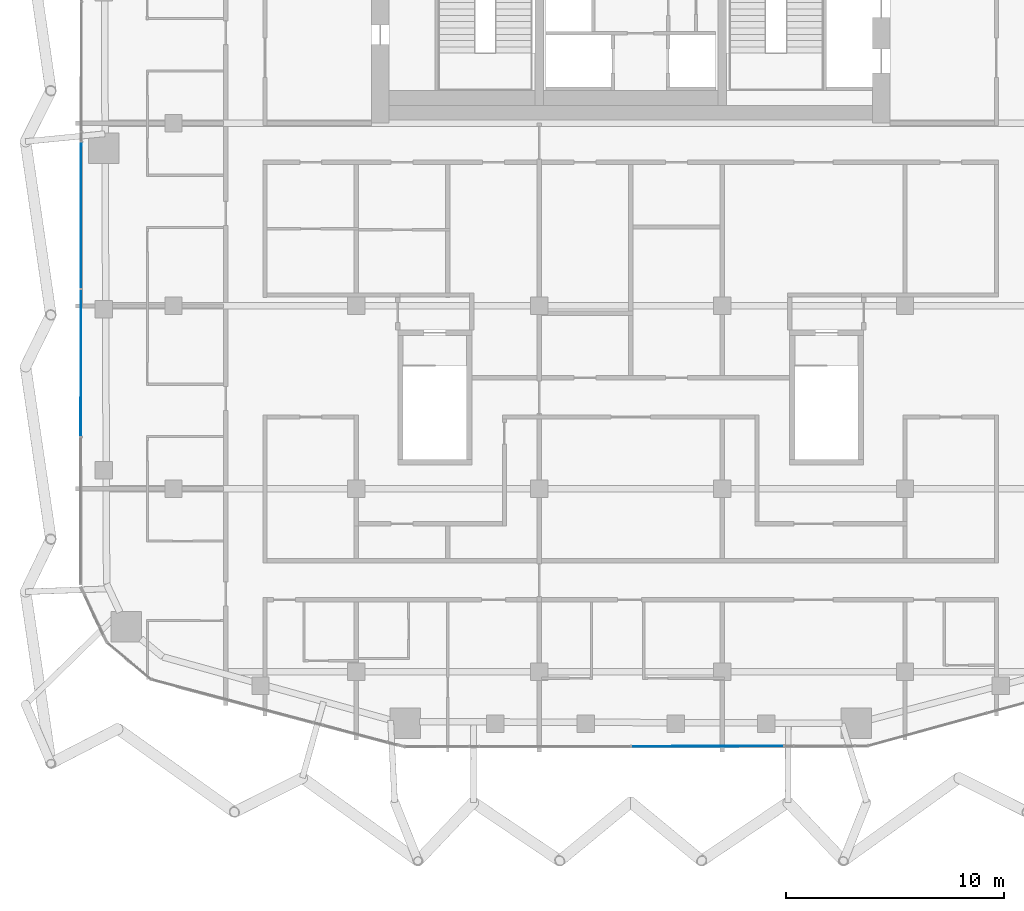
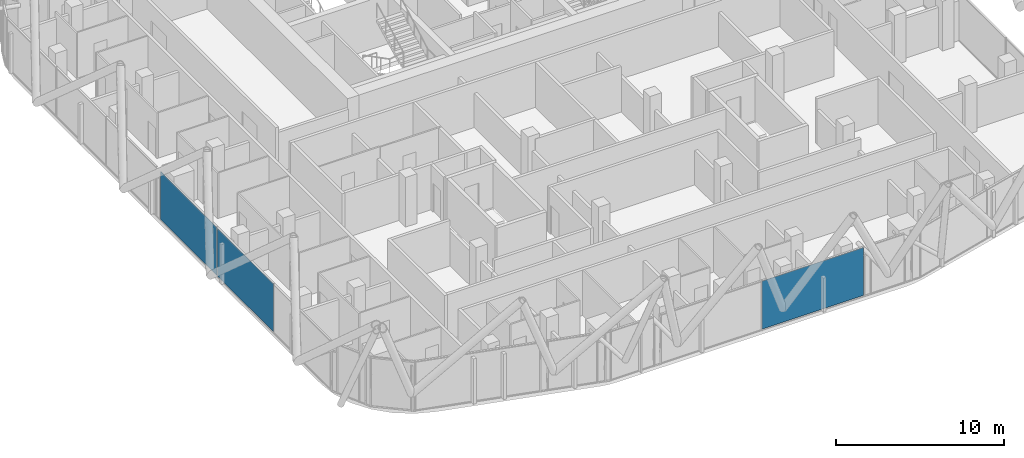
# One storey, part 17 of 33: 3 plates, 2 elements without a shape of their own.
"""IFC4 building model written with IfcOpenShell, lengths in metres."""

from ifc_helpers import new_model, si_unit, direction, frame, origin, origin_2d, place, context, subcontext, project, spatial, rectangle, extrude, material, layer, layer_set, type_object, element, aggregate, save


model = new_model("IFC4")

# Units and contexts
model_context = context("Model", 3, precision=1e-05, world=origin(), true_north=direction((0.0, 1.0)))
body_context = subcontext(model_context, "Body", "Model", "MODEL_VIEW")
ifc_project = project(units=[si_unit("LENGTHUNIT", "METRE"), si_unit("AREAUNIT", "SQUARE_METRE"), si_unit("VOLUMEUNIT", "CUBIC_METRE"), si_unit("PLANEANGLEUNIT", "RADIAN"), si_unit("MASSUNIT", "GRAM", prefix="KILO")], contexts=[model_context])

# Site, building, storey
site_placement = place(None, origin())
site = spatial("IfcSite", under=ifc_project, at=site_placement, CompositionType="ELEMENT")
building_placement = place(site_placement, origin())
building = spatial("IfcBuilding", under=site, at=building_placement, Name="Marenta Gate Hotel Tower", CompositionType="ELEMENT")
storey_placement = place(building_placement, frame((0.0, 0.0, 248.89990234375)))
storey = spatial("IfcBuildingStorey", under=building, at=storey_placement, Name="L59", CompositionType="ELEMENT", Elevation=248.89990234375)

# Curtain wall, plates
ifc_material_1 = material(Name="Tinted insulated glass in bronze anodised frame", Category="glass")
ifc_layer_1 = layer(ifc_material_1, 0.1201171875)
ifc_layer_set_1 = layer_set([ifc_layer_1], Name="Tinted insulated glass in bronze anodised frame")
curtain_wall_type = type_object("IfcCurtainWallType", Name="Tower unitised curtain wall CW1", PredefinedType="NOTDEFINED", material=ifc_layer_set_1)
curtain_wall_1_placement = place(storey_placement, origin())
curtain_wall_1 = element("IfcCurtainWall", 1, at=curtain_wall_1_placement, inside=storey, type_object=curtain_wall_type, Name="CW1 run G08", PredefinedType="NOTDEFINED")
ifc_material_2 = material(Name="Tinted insulated glass", Category="glass")
ifc_layer_2 = layer(ifc_material_2, 0.028076171875)
ifc_layer_set_2 = layer_set([ifc_layer_2], Name="Tinted insulated glass")
plate_type = type_object("IfcPlateType", Name="Glass panel CW1 28 mm tinted insulated unit", PredefinedType="CURTAIN_PANEL", material=ifc_layer_set_2)
plate_1_placement = place(storey_placement, frame((-25.246337890625, -4.23876953125, 0.06005859375), z_axis=(0.0, 0.0, 1.0), x_axis=(-0.001564666982, -0.999998775908, 0.0)))
plate_1 = element("IfcPlate", 2, at=plate_1_placement, type_object=plate_type, Name="CW1 panel 1.1", PredefinedType="CURTAIN_PANEL", context=body_context, shape_type="SweptSolid", body=[
    extrude(rectangle(XDim=6.705810546875, YDim=0.028076171875, at=origin_2d()), origin(), (0.0, 0.0, 1.0), 3.47998046875),
])
plate_2_placement = place(storey_placement, frame((-25.2568359375, -11.01953125, 0.06005859375), z_axis=(0.0, 0.0, 1.0), x_axis=(-0.001564666982, -0.999998775908, 0.0)))
plate_2 = element("IfcPlate", 3, at=plate_2_placement, type_object=plate_type, Name="CW1 panel 2.1", PredefinedType="CURTAIN_PANEL", context=body_context, shape_type="SweptSolid", body=[
    extrude(rectangle(XDim=6.73583984375, YDim=0.028076171875, at=origin_2d()), origin(), (0.0, 0.0, 1.0), 3.47998046875),
])
aggregate(curtain_wall_1, [plate_1, plate_2])

# Curtain wall, plate
curtain_wall_2_placement = place(storey_placement, origin())
curtain_wall_2 = element("IfcCurtainWall", 4, at=curtain_wall_2_placement, inside=storey, type_object=curtain_wall_type, Name="CW1 run G21", PredefinedType="NOTDEFINED")
plate_3_placement = place(storey_placement, frame((3.524658203125, -28.62451171875, 0.06005859375), z_axis=(0.0, 0.0, 1.0), x_axis=(0.999998662069, 0.001635805569, 0.0)))
plate_3 = element("IfcPlate", 5, at=plate_3_placement, type_object=plate_type, Name="CW1 panel 2.1", PredefinedType="CURTAIN_PANEL", context=body_context, shape_type="SweptSolid", body=[
    extrude(rectangle(XDim=6.969482421875, YDim=0.028076171875, at=origin_2d()), origin(), (0.0, 0.0, 1.0), 3.47998046875),
])
aggregate(curtain_wall_2, [plate_3])

save(model, "model.ifc")
